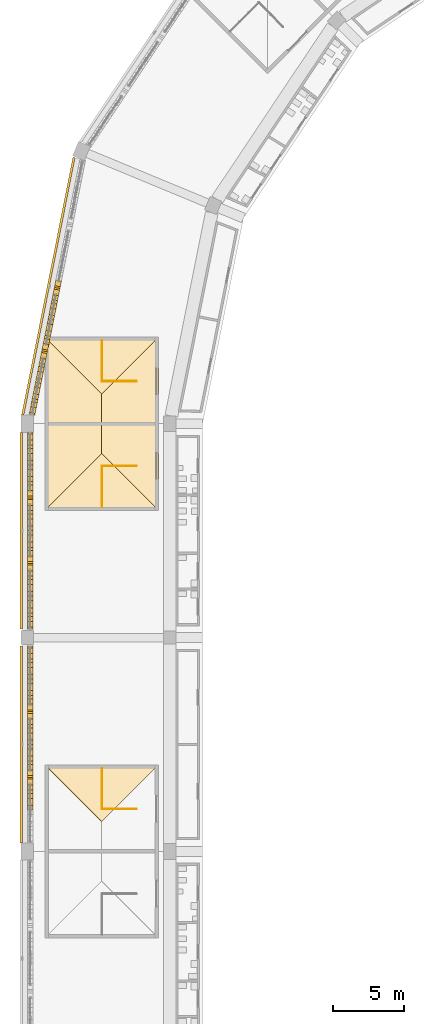
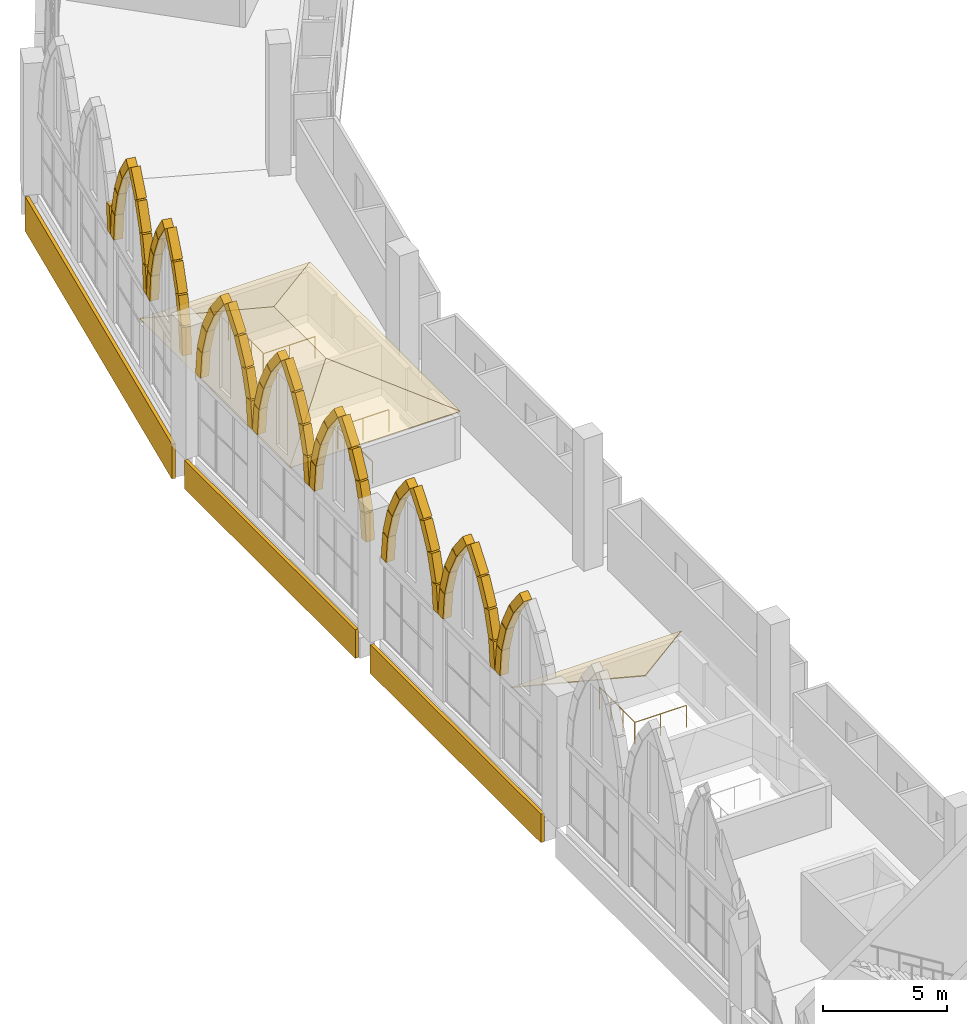
# One storey, part 115 of 130: 69 coverings, 6 railings.
"""IFC4 building model written with IfcOpenShell, lengths in metres."""

from ifc_helpers import new_model, si_unit, direction, frame, origin, origin_2d, place, context, subcontext, project, spatial, polyline, rectangle, circle, outline, extrude, material, layer, layer_set, material_profile, profile_set, type_object, element, save


model = new_model("IFC4")

# Units and contexts
model_context = context("Model", 3, precision=1e-05, world=origin(), true_north=direction((0.0, 1.0)))
body_context = subcontext(model_context, "Body", "Model", "MODEL_VIEW")
ifc_project = project(units=[si_unit("LENGTHUNIT", "METRE"), si_unit("AREAUNIT", "SQUARE_METRE"), si_unit("VOLUMEUNIT", "CUBIC_METRE"), si_unit("PLANEANGLEUNIT", "RADIAN"), si_unit("MASSUNIT", "GRAM", prefix="KILO")], contexts=[model_context])

# Site, building, storey
site_placement = place(None, origin())
site = spatial("IfcSite", under=ifc_project, at=site_placement, CompositionType="ELEMENT")
building_placement = place(site_placement, origin())
building = spatial("IfcBuilding", under=site, at=building_placement, Name="Ogive Plaza Stadium", CompositionType="ELEMENT")
storey_placement = place(building_placement, frame((0.0, 0.0, 22.5)))
storey = spatial("IfcBuildingStorey", under=building, at=storey_placement, Name="L05", CompositionType="ELEMENT", Elevation=22.5)

# Railings
ifc_material_1 = material(Name="Steel ASTM A572 Grade 50", Category="steel")
railing_type = type_object("IfcRailingType", Name="Guard 1100", PredefinedType="GUARDRAIL", material=ifc_material_1)
railing_1_placement = place(storey_placement, frame((-76.35009765625, 25.47509765625, 0.0)))
element("IfcRailing", 1, at=railing_1_placement, inside=storey, type_object=railing_type, Name="Stair well guard ST26A L05", PredefinedType="GUARDRAIL", context=body_context, shape_type="SweptSolid", body=[
    extrude(circle(Radius=0.02392578125, at=origin_2d()), frame((0.0, 0.0, 1.076171875), z_axis=(-1.0, 0.0, 0.0), x_axis=(0.0, -1.0, 0.0)), (0.0, 0.0, 1.0), 2.39990234375),
    extrude(circle(Radius=0.02099609375, at=origin_2d()), origin(), (0.0, 0.0, 1.0), 1.052001953125),
    extrude(circle(Radius=0.02099609375, at=origin_2d()), frame((-1.199951171875, 0.0, 0.0)), (0.0, 0.0, 1.0), 1.052001953125),
    extrude(circle(Radius=0.02099609375, at=origin_2d()), frame((-2.39990234375, 0.0, 0.0)), (0.0, 0.0, 1.0), 1.052001953125),
])
railing_2_placement = place(storey_placement, frame((-78.75, 28.324951171875, 0.0)))
element("IfcRailing", 2, at=railing_2_placement, inside=storey, type_object=railing_type, Name="Stair guard ST26A L05", PredefinedType="GUARDRAIL", context=body_context, shape_type="SweptSolid", body=[
    extrude(circle(Radius=0.02392578125, at=origin_2d()), frame((0.0, 0.0, 1.076171875), z_axis=(0.0, -1.0, 0.0), x_axis=(1.0, 0.0, 0.0)), (0.0, 0.0, 1.0), 2.800048828125),
    extrude(circle(Radius=0.02099609375, at=origin_2d()), origin(), (0.0, 0.0, 1.0), 1.052001953125),
    extrude(circle(Radius=0.02099609375, at=origin_2d()), frame((0.0, -0.933349609375, 0.0)), (0.0, 0.0, 1.0), 1.052001953125),
    extrude(circle(Radius=0.02099609375, at=origin_2d()), frame((0.0, -1.86669921875, 0.0)), (0.0, 0.0, 1.0), 1.052001953125),
    extrude(circle(Radius=0.02099609375, at=origin_2d()), frame((0.0, -2.800048828125, 0.0)), (0.0, 0.0, 1.0), 1.052001953125),
])
railing_3_placement = place(storey_placement, frame((-76.35009765625, 55.47509765625, 0.0)))
element("IfcRailing", 3, at=railing_3_placement, inside=storey, type_object=railing_type, Name="Stair well guard ST28A L05", PredefinedType="GUARDRAIL", context=body_context, shape_type="SweptSolid", body=[
    extrude(circle(Radius=0.02392578125, at=origin_2d()), frame((0.0, 0.0, 1.076171875), z_axis=(-1.0, 0.0, 0.0), x_axis=(0.0, -1.0, 0.0)), (0.0, 0.0, 1.0), 2.39990234375),
    extrude(circle(Radius=0.02099609375, at=origin_2d()), origin(), (0.0, 0.0, 1.0), 1.052001953125),
    extrude(circle(Radius=0.02099609375, at=origin_2d()), frame((-1.199951171875, 0.0, 0.0)), (0.0, 0.0, 1.0), 1.052001953125),
    extrude(circle(Radius=0.02099609375, at=origin_2d()), frame((-2.39990234375, 0.0, 0.0)), (0.0, 0.0, 1.0), 1.052001953125),
])
railing_4_placement = place(storey_placement, frame((-78.75, 58.324951171875, 0.0)))
element("IfcRailing", 4, at=railing_4_placement, inside=storey, type_object=railing_type, Name="Stair guard ST28A L05", PredefinedType="GUARDRAIL", context=body_context, shape_type="SweptSolid", body=[
    extrude(circle(Radius=0.02392578125, at=origin_2d()), frame((0.0, 0.0, 1.076171875), z_axis=(0.0, -1.0, 0.0), x_axis=(1.0, 0.0, 0.0)), (0.0, 0.0, 1.0), 2.800048828125),
    extrude(circle(Radius=0.02099609375, at=origin_2d()), origin(), (0.0, 0.0, 1.0), 1.052001953125),
    extrude(circle(Radius=0.02099609375, at=origin_2d()), frame((0.0, -0.933349609375, 0.0)), (0.0, 0.0, 1.0), 1.052001953125),
    extrude(circle(Radius=0.02099609375, at=origin_2d()), frame((0.0, -1.86669921875, 0.0)), (0.0, 0.0, 1.0), 1.052001953125),
    extrude(circle(Radius=0.02099609375, at=origin_2d()), frame((0.0, -2.800048828125, 0.0)), (0.0, 0.0, 1.0), 1.052001953125),
])
railing_5_placement = place(storey_placement, frame((-76.35009765625, 49.52490234375, 0.0)))
element("IfcRailing", 5, at=railing_5_placement, inside=storey, type_object=railing_type, Name="Stair well guard ST28B L05", PredefinedType="GUARDRAIL", context=body_context, shape_type="SweptSolid", body=[
    extrude(circle(Radius=0.02392578125, at=origin_2d()), frame((0.0, 0.0, 1.076171875), z_axis=(-1.0, 0.0, 0.0), x_axis=(0.0, -1.0, 0.0)), (0.0, 0.0, 1.0), 2.39990234375),
    extrude(circle(Radius=0.02099609375, at=origin_2d()), origin(), (0.0, 0.0, 1.0), 1.052001953125),
    extrude(circle(Radius=0.02099609375, at=origin_2d()), frame((-1.199951171875, 0.0, 0.0)), (0.0, 0.0, 1.0), 1.052001953125),
    extrude(circle(Radius=0.02099609375, at=origin_2d()), frame((-2.39990234375, 0.0, 0.0)), (0.0, 0.0, 1.0), 1.052001953125),
])
railing_6_placement = place(storey_placement, frame((-78.75, 49.47509765625, 0.0)))
element("IfcRailing", 6, at=railing_6_placement, inside=storey, type_object=railing_type, Name="Stair guard ST28B L05", PredefinedType="GUARDRAIL", context=body_context, shape_type="SweptSolid", body=[
    extrude(circle(Radius=0.02392578125, at=origin_2d()), frame((0.0, 0.0, 1.076171875), z_axis=(0.0, -1.0, 0.0), x_axis=(1.0, 0.0, 0.0)), (0.0, 0.0, 1.0), 2.800048828125),
    extrude(circle(Radius=0.02099609375, at=origin_2d()), origin(), (0.0, 0.0, 1.0), 1.052001953125),
    extrude(circle(Radius=0.02099609375, at=origin_2d()), frame((0.0, -0.933349609375, 0.0)), (0.0, 0.0, 1.0), 1.052001953125),
    extrude(circle(Radius=0.02099609375, at=origin_2d()), frame((0.0, -1.86669921875, 0.0)), (0.0, 0.0, 1.0), 1.052001953125),
    extrude(circle(Radius=0.02099609375, at=origin_2d()), frame((0.0, -2.800048828125, 0.0)), (0.0, 0.0, 1.0), 1.052001953125),
])

# Coverings
ifc_material_2 = material(Name="Cast stone (reconstituted limestone)", Category="masonry")
ifc_material_profile = material_profile(ifc_material_2, rectangle(XDim=0.39990234375, YDim=0.39990234375, at=origin_2d()), Name="Cast stone 400x400")
ifc_profile_set = profile_set([ifc_material_profile], Name="Cast stone (reconstituted limestone)")
covering_type_1 = type_object("IfcCoveringType", Name="Precast arch rib 400x400", PredefinedType="MOLDING", material=ifc_profile_set)
covering_1_placement = place(storey_placement, frame((-83.800048828125, 25.55810546875, 9.0224609375), z_axis=(0.0, 0.612799939872, -0.790238086713), x_axis=(-1.0, 0.0, 0.0)))
element("IfcCovering", 7, at=covering_1_placement, inside=storey, type_object=covering_type_1, Name="ARCH RIB B26 1.5", PredefinedType="MOLDING", context=body_context, shape_type="SweptSolid", body=[
    extrude(rectangle(XDim=0.39990234375, YDim=0.39990234375, at=origin_2d()), origin(), (0.0, 0.0, 1.0), 1.319580078125),
])
for number, where, z_axis, x_axis, name in (
    (8, (-83.800048828125, 26.386962890625, 7.947998046875), (0.0, 0.453787214374, -0.891110074048), (-1.0, 0.0, 0.0), "ARCH RIB B26 1.6"),
    (9, (-83.800048828125, 26.999755859375, 6.737060546875), (0.0, 0.2789697965, -0.960299876414), (-1.0, 0.0, 0.0), "ARCH RIB B26 1.7"),
):
    element("IfcCovering", number, at=place(storey_placement, frame(where, z_axis=z_axis, x_axis=x_axis)), inside=storey, type_object=covering_type_1, Name=name, PredefinedType="MOLDING", context=body_context, shape_type="SweptSolid", body=[
        extrude(rectangle(XDim=0.39990234375, YDim=0.39990234375, at=origin_2d()), origin(), (0.0, 0.0, 1.0), 1.31982421875),
    ])
for number, where, z_axis, x_axis, name in (
    (10, (-83.800048828125, 27.375, 5.4326171875), (0.0, 0.093988335931, -0.995573298511), (-1.0, 0.0, 0.0), "ARCH RIB B26 1.8"),
    (11, (-83.800048828125, 27.90087890625, 4.118896484375), (0.0, 0.094171713154, 0.995555969517), (-1.0, 0.0, 0.0), "ARCH RIB B26 2.1"),
    (12, (-83.800048828125, 28.0322265625, 5.4697265625), (0.0, 0.278799187003, 0.960349422516), (-1.0, 0.0, 0.0), "ARCH RIB B26 2.2"),
):
    element("IfcCovering", number, at=place(storey_placement, frame(where, z_axis=z_axis, x_axis=x_axis)), inside=storey, type_object=covering_type_1, Name=name, PredefinedType="MOLDING", context=body_context, shape_type="SweptSolid", body=[
        extrude(rectangle(XDim=0.39990234375, YDim=0.39990234375, at=origin_2d()), origin(), (0.0, 0.0, 1.0), 1.319580078125),
    ])
covering_2_placement = place(storey_placement, frame((-83.800048828125, 28.4140625, 6.77197265625), z_axis=(0.0, 0.453934094395, 0.891035261898), x_axis=(-1.0, 0.0, 0.0)))
element("IfcCovering", 13, at=covering_2_placement, inside=storey, type_object=covering_type_1, Name="ARCH RIB B26 2.3", PredefinedType="MOLDING", context=body_context, shape_type="SweptSolid", body=[
    extrude(rectangle(XDim=0.39990234375, YDim=0.39990234375, at=origin_2d()), origin(), (0.0, 0.0, 1.0), 1.31982421875),
])
for number, where, z_axis, x_axis, name in (
    (14, (-83.800048828125, 29.033203125, 7.979736328125), (0.0, 0.612915463399, 0.790148489036), (-1.0, 0.0, 0.0), "ARCH RIB B26 2.4"),
    (15, (-83.800048828125, 30.157958984375, 9.0224609375), (0.0, 0.612915463399, -0.790148489036), (-1.0, 0.0, 0.0), "ARCH RIB B26 2.5"),
):
    element("IfcCovering", number, at=place(storey_placement, frame(where, z_axis=z_axis, x_axis=x_axis)), inside=storey, type_object=covering_type_1, Name=name, PredefinedType="MOLDING", context=body_context, shape_type="SweptSolid", body=[
        extrude(rectangle(XDim=0.39990234375, YDim=0.39990234375, at=origin_2d()), origin(), (0.0, 0.0, 1.0), 1.319580078125),
    ])
covering_3_placement = place(storey_placement, frame((-83.800048828125, 30.98681640625, 7.947998046875), z_axis=(0.0, 0.453934094395, -0.891035261898), x_axis=(-1.0, 0.0, 0.0)))
element("IfcCovering", 16, at=covering_3_placement, inside=storey, type_object=covering_type_1, Name="ARCH RIB B26 2.6", PredefinedType="MOLDING", context=body_context, shape_type="SweptSolid", body=[
    extrude(rectangle(XDim=0.39990234375, YDim=0.39990234375, at=origin_2d()), origin(), (0.0, 0.0, 1.0), 1.31982421875),
])
for number, where, z_axis, x_axis, name in (
    (17, (-83.800048828125, 31.599853515625, 6.737060546875), (0.0, 0.278799187003, -0.960349422516), (-1.0, 0.0, 0.0), "ARCH RIB B26 2.7"),
    (18, (-83.800048828125, 31.974853515625, 5.4326171875), (0.0, 0.094171713154, -0.995555969517), (-1.0, 0.0, 0.0), "ARCH RIB B26 2.8"),
    (19, (-83.800048828125, 32.5009765625, 4.118896484375), (0.0, 0.093988335931, 0.995573298511), (-1.0, 0.0, 0.0), "ARCH RIB B26 3.1"),
):
    element("IfcCovering", number, at=place(storey_placement, frame(where, z_axis=z_axis, x_axis=x_axis)), inside=storey, type_object=covering_type_1, Name=name, PredefinedType="MOLDING", context=body_context, shape_type="SweptSolid", body=[
        extrude(rectangle(XDim=0.39990234375, YDim=0.39990234375, at=origin_2d()), origin(), (0.0, 0.0, 1.0), 1.319580078125),
    ])
for number, where, z_axis, x_axis, name in (
    (20, (-83.800048828125, 32.632080078125, 5.4697265625), (0.0, 0.2789697965, 0.960299876414), (-1.0, 0.0, 0.0), "ARCH RIB B26 3.2"),
    (21, (-83.800048828125, 33.01416015625, 6.77197265625), (0.0, 0.453787214374, 0.891110074048), (-1.0, 0.0, 0.0), "ARCH RIB B26 3.3"),
):
    element("IfcCovering", number, at=place(storey_placement, frame(where, z_axis=z_axis, x_axis=x_axis)), inside=storey, type_object=covering_type_1, Name=name, PredefinedType="MOLDING", context=body_context, shape_type="SweptSolid", body=[
        extrude(rectangle(XDim=0.39990234375, YDim=0.39990234375, at=origin_2d()), origin(), (0.0, 0.0, 1.0), 1.31982421875),
    ])
for number, where, z_axis, x_axis, name in (
    (22, (-83.800048828125, 33.63330078125, 7.979736328125), (0.0, 0.612799939872, 0.790238086713), (-1.0, 0.0, 0.0), "ARCH RIB B26 3.4"),
    (23, (-83.800048828125, 34.758056640625, 9.0224609375), (0.0, 0.612799939872, -0.790238086713), (-1.0, 0.0, 0.0), "ARCH RIB B26 3.5"),
):
    element("IfcCovering", number, at=place(storey_placement, frame(where, z_axis=z_axis, x_axis=x_axis)), inside=storey, type_object=covering_type_1, Name=name, PredefinedType="MOLDING", context=body_context, shape_type="SweptSolid", body=[
        extrude(rectangle(XDim=0.39990234375, YDim=0.39990234375, at=origin_2d()), origin(), (0.0, 0.0, 1.0), 1.319580078125),
    ])
for number, where, z_axis, x_axis, name in (
    (24, (-83.800048828125, 35.5869140625, 7.947998046875), (0.0, 0.453934094395, -0.891035261898), (-1.0, 0.0, 0.0), "ARCH RIB B26 3.6"),
    (25, (-83.800048828125, 36.19970703125, 6.737060546875), (0.0, 0.2789697965, -0.960299876414), (-1.0, 0.0, 0.0), "ARCH RIB B26 3.7"),
):
    element("IfcCovering", number, at=place(storey_placement, frame(where, z_axis=z_axis, x_axis=x_axis)), inside=storey, type_object=covering_type_1, Name=name, PredefinedType="MOLDING", context=body_context, shape_type="SweptSolid", body=[
        extrude(rectangle(XDim=0.39990234375, YDim=0.39990234375, at=origin_2d()), origin(), (0.0, 0.0, 1.0), 1.31982421875),
    ])
for number, where, z_axis, x_axis, name in (
    (26, (-83.800048828125, 36.574951171875, 5.4326171875), (0.0, 0.094171713154, -0.995555969517), (-1.0, 0.0, 0.0), "ARCH RIB B26 3.8"),
    (27, (-83.800048828125, 38.30078125, 4.118896484375), (0.0, 0.094171713154, 0.995555969517), (-1.0, 0.0, 0.0), "ARCH RIB B27 1.1"),
):
    element("IfcCovering", number, at=place(storey_placement, frame(where, z_axis=z_axis, x_axis=x_axis)), inside=storey, type_object=covering_type_1, Name=name, PredefinedType="MOLDING", context=body_context, shape_type="SweptSolid", body=[
        extrude(rectangle(XDim=0.39990234375, YDim=0.39990234375, at=origin_2d()), origin(), (0.0, 0.0, 1.0), 1.319580078125),
    ])
for number, where, z_axis, x_axis, name in (
    (28, (-83.800048828125, 38.43212890625, 5.4697265625), (0.0, 0.2789697965, 0.960299876414), (-1.0, 0.0, 0.0), "ARCH RIB B27 1.2"),
    (29, (-83.800048828125, 38.81396484375, 6.77197265625), (0.0, 0.453934094395, 0.891035261898), (-1.0, 0.0, 0.0), "ARCH RIB B27 1.3"),
):
    element("IfcCovering", number, at=place(storey_placement, frame(where, z_axis=z_axis, x_axis=x_axis)), inside=storey, type_object=covering_type_1, Name=name, PredefinedType="MOLDING", context=body_context, shape_type="SweptSolid", body=[
        extrude(rectangle(XDim=0.39990234375, YDim=0.39990234375, at=origin_2d()), origin(), (0.0, 0.0, 1.0), 1.31982421875),
    ])
for number, where, z_axis, x_axis, name in (
    (30, (-83.800048828125, 39.433349609375, 7.979736328125), (0.0, 0.612799939872, 0.790238086713), (-1.0, 0.0, 0.0), "ARCH RIB B27 1.4"),
    (31, (-83.800048828125, 40.55810546875, 9.0224609375), (0.0, 0.612799939872, -0.790238086713), (-1.0, 0.0, 0.0), "ARCH RIB B27 1.5"),
):
    element("IfcCovering", number, at=place(storey_placement, frame(where, z_axis=z_axis, x_axis=x_axis)), inside=storey, type_object=covering_type_1, Name=name, PredefinedType="MOLDING", context=body_context, shape_type="SweptSolid", body=[
        extrude(rectangle(XDim=0.39990234375, YDim=0.39990234375, at=origin_2d()), origin(), (0.0, 0.0, 1.0), 1.319580078125),
    ])
for number, where, z_axis, x_axis, name in (
    (32, (-83.800048828125, 41.386962890625, 7.947998046875), (0.0, 0.453787214374, -0.891110074048), (-1.0, 0.0, 0.0), "ARCH RIB B27 1.6"),
    (33, (-83.800048828125, 41.999755859375, 6.737060546875), (0.0, 0.2789697965, -0.960299876414), (-1.0, 0.0, 0.0), "ARCH RIB B27 1.7"),
):
    element("IfcCovering", number, at=place(storey_placement, frame(where, z_axis=z_axis, x_axis=x_axis)), inside=storey, type_object=covering_type_1, Name=name, PredefinedType="MOLDING", context=body_context, shape_type="SweptSolid", body=[
        extrude(rectangle(XDim=0.39990234375, YDim=0.39990234375, at=origin_2d()), origin(), (0.0, 0.0, 1.0), 1.31982421875),
    ])
for number, where, z_axis, x_axis, name in (
    (34, (-83.800048828125, 42.375, 5.4326171875), (0.0, 0.093988335931, -0.995573298511), (-1.0, 0.0, 0.0), "ARCH RIB B27 1.8"),
    (35, (-83.800048828125, 42.90087890625, 4.118896484375), (0.0, 0.094171713154, 0.995555969517), (-1.0, 0.0, 0.0), "ARCH RIB B27 2.1"),
    (36, (-83.800048828125, 43.0322265625, 5.4697265625), (0.0, 0.278799187003, 0.960349422516), (-1.0, 0.0, 0.0), "ARCH RIB B27 2.2"),
):
    element("IfcCovering", number, at=place(storey_placement, frame(where, z_axis=z_axis, x_axis=x_axis)), inside=storey, type_object=covering_type_1, Name=name, PredefinedType="MOLDING", context=body_context, shape_type="SweptSolid", body=[
        extrude(rectangle(XDim=0.39990234375, YDim=0.39990234375, at=origin_2d()), origin(), (0.0, 0.0, 1.0), 1.319580078125),
    ])
covering_4_placement = place(storey_placement, frame((-83.800048828125, 43.4140625, 6.77197265625), z_axis=(0.0, 0.453934094395, 0.891035261898), x_axis=(-1.0, 0.0, 0.0)))
element("IfcCovering", 37, at=covering_4_placement, inside=storey, type_object=covering_type_1, Name="ARCH RIB B27 2.3", PredefinedType="MOLDING", context=body_context, shape_type="SweptSolid", body=[
    extrude(rectangle(XDim=0.39990234375, YDim=0.39990234375, at=origin_2d()), origin(), (0.0, 0.0, 1.0), 1.31982421875),
])
for number, where, z_axis, x_axis, name in (
    (38, (-83.800048828125, 44.033203125, 7.979736328125), (0.0, 0.612915463399, 0.790148489036), (-1.0, 0.0, 0.0), "ARCH RIB B27 2.4"),
    (39, (-83.800048828125, 45.157958984375, 9.0224609375), (0.0, 0.612915463399, -0.790148489036), (-1.0, 0.0, 0.0), "ARCH RIB B27 2.5"),
):
    element("IfcCovering", number, at=place(storey_placement, frame(where, z_axis=z_axis, x_axis=x_axis)), inside=storey, type_object=covering_type_1, Name=name, PredefinedType="MOLDING", context=body_context, shape_type="SweptSolid", body=[
        extrude(rectangle(XDim=0.39990234375, YDim=0.39990234375, at=origin_2d()), origin(), (0.0, 0.0, 1.0), 1.319580078125),
    ])
covering_5_placement = place(storey_placement, frame((-83.800048828125, 45.98681640625, 7.947998046875), z_axis=(0.0, 0.453934094395, -0.891035261898), x_axis=(-1.0, 0.0, 0.0)))
element("IfcCovering", 40, at=covering_5_placement, inside=storey, type_object=covering_type_1, Name="ARCH RIB B27 2.6", PredefinedType="MOLDING", context=body_context, shape_type="SweptSolid", body=[
    extrude(rectangle(XDim=0.39990234375, YDim=0.39990234375, at=origin_2d()), origin(), (0.0, 0.0, 1.0), 1.31982421875),
])
for number, where, z_axis, x_axis, name in (
    (41, (-83.800048828125, 46.599853515625, 6.737060546875), (0.0, 0.278799187003, -0.960349422516), (-1.0, 0.0, 0.0), "ARCH RIB B27 2.7"),
    (42, (-83.800048828125, 46.974853515625, 5.4326171875), (0.0, 0.094171713154, -0.995555969517), (-1.0, 0.0, 0.0), "ARCH RIB B27 2.8"),
    (43, (-83.800048828125, 47.5009765625, 4.118896484375), (0.0, 0.093988335931, 0.995573298511), (-1.0, 0.0, 0.0), "ARCH RIB B27 3.1"),
):
    element("IfcCovering", number, at=place(storey_placement, frame(where, z_axis=z_axis, x_axis=x_axis)), inside=storey, type_object=covering_type_1, Name=name, PredefinedType="MOLDING", context=body_context, shape_type="SweptSolid", body=[
        extrude(rectangle(XDim=0.39990234375, YDim=0.39990234375, at=origin_2d()), origin(), (0.0, 0.0, 1.0), 1.319580078125),
    ])
for number, where, z_axis, x_axis, name in (
    (44, (-83.800048828125, 47.632080078125, 5.4697265625), (0.0, 0.2789697965, 0.960299876414), (-1.0, 0.0, 0.0), "ARCH RIB B27 3.2"),
    (45, (-83.800048828125, 48.01416015625, 6.77197265625), (0.0, 0.453787214374, 0.891110074048), (-1.0, 0.0, 0.0), "ARCH RIB B27 3.3"),
):
    element("IfcCovering", number, at=place(storey_placement, frame(where, z_axis=z_axis, x_axis=x_axis)), inside=storey, type_object=covering_type_1, Name=name, PredefinedType="MOLDING", context=body_context, shape_type="SweptSolid", body=[
        extrude(rectangle(XDim=0.39990234375, YDim=0.39990234375, at=origin_2d()), origin(), (0.0, 0.0, 1.0), 1.31982421875),
    ])
for number, where, z_axis, x_axis, name in (
    (46, (-83.800048828125, 48.63330078125, 7.979736328125), (0.0, 0.612799939872, 0.790238086713), (-1.0, 0.0, 0.0), "ARCH RIB B27 3.4"),
    (47, (-83.800048828125, 49.758056640625, 9.0224609375), (0.0, 0.612799939872, -0.790238086713), (-1.0, 0.0, 0.0), "ARCH RIB B27 3.5"),
):
    element("IfcCovering", number, at=place(storey_placement, frame(where, z_axis=z_axis, x_axis=x_axis)), inside=storey, type_object=covering_type_1, Name=name, PredefinedType="MOLDING", context=body_context, shape_type="SweptSolid", body=[
        extrude(rectangle(XDim=0.39990234375, YDim=0.39990234375, at=origin_2d()), origin(), (0.0, 0.0, 1.0), 1.319580078125),
    ])
for number, where, z_axis, x_axis, name in (
    (48, (-83.800048828125, 50.5869140625, 7.947998046875), (0.0, 0.453934094395, -0.891035261898), (-1.0, 0.0, 0.0), "ARCH RIB B27 3.6"),
    (49, (-83.800048828125, 51.19970703125, 6.737060546875), (0.0, 0.2789697965, -0.960299876414), (-1.0, 0.0, 0.0), "ARCH RIB B27 3.7"),
):
    element("IfcCovering", number, at=place(storey_placement, frame(where, z_axis=z_axis, x_axis=x_axis)), inside=storey, type_object=covering_type_1, Name=name, PredefinedType="MOLDING", context=body_context, shape_type="SweptSolid", body=[
        extrude(rectangle(XDim=0.39990234375, YDim=0.39990234375, at=origin_2d()), origin(), (0.0, 0.0, 1.0), 1.31982421875),
    ])
covering_6_placement = place(storey_placement, frame((-83.800048828125, 51.574951171875, 5.4326171875), z_axis=(0.0, 0.094171713154, -0.995555969517), x_axis=(-1.0, 0.0, 0.0)))
element("IfcCovering", 50, at=covering_6_placement, inside=storey, type_object=covering_type_1, Name="ARCH RIB B27 3.8", PredefinedType="MOLDING", context=body_context, shape_type="SweptSolid", body=[
    extrude(rectangle(XDim=0.39990234375, YDim=0.39990234375, at=origin_2d()), origin(), (0.0, 0.0, 1.0), 1.319580078125),
])
covering_7_placement = place(storey_placement, frame((-83.6298828125, 53.3359375, 4.118408203125), z_axis=(0.018184766268, 0.090738272501, 0.995708732602), x_axis=(-0.980503479891, 0.196501719896, 0.0)))
element("IfcCovering", 51, at=covering_7_placement, inside=storey, type_object=covering_type_1, Name="ARCH RIB B28 1.1", PredefinedType="MOLDING", context=body_context, shape_type="SweptSolid", body=[
    extrude(rectangle(XDim=0.39990234375, YDim=0.39990234375, at=origin_2d()), origin(), (0.0, 0.0, 1.0), 1.315673828125),
])
covering_8_placement = place(storey_placement, frame((-83.604736328125, 53.462158203125, 5.46484375), z_axis=(0.053639341274, 0.269124722653, 0.961610474529), x_axis=(-0.980710527742, 0.19546575346, 0.0)))
element("IfcCovering", 52, at=covering_8_placement, inside=storey, type_object=covering_type_1, Name="ARCH RIB B28 1.2", PredefinedType="MOLDING", context=body_context, shape_type="SweptSolid", body=[
    extrude(rectangle(XDim=0.39990234375, YDim=0.39990234375, at=origin_2d()), origin(), (0.0, 0.0, 1.0), 1.3154296875),
])
covering_9_placement = place(storey_placement, frame((-83.53173828125, 53.829345703125, 6.764404296875), z_axis=(0.087221081948, 0.438517907749, 0.894480031888), x_axis=(-0.980787656855, 0.195078374406, 0.0)))
element("IfcCovering", 53, at=covering_9_placement, inside=storey, type_object=covering_type_1, Name="ARCH RIB B28 1.3", PredefinedType="MOLDING", context=body_context, shape_type="SweptSolid", body=[
    extrude(rectangle(XDim=0.39990234375, YDim=0.39990234375, at=origin_2d()), origin(), (0.0, 0.0, 1.0), 1.315673828125),
])
for number, where, z_axis, x_axis, name in (
    (54, (-83.4130859375, 54.42529296875, 7.97265625), (0.117846036075, 0.592756282244, 0.796713437593), (-0.980804436306, 0.194993994068, 0.0), "ARCH RIB B28 1.4"),
    (55, (-83.19580078125, 55.517578125, 9.020751953125), (0.117858999987, 0.592635884975, -0.796801081803), (-0.980792755139, 0.195052740217, 0.0), "ARCH RIB B28 1.5"),
    (56, (-83.036865234375, 56.31640625, 7.941162109375), (0.087228179253, 0.438367998716, -0.894552817024), (-0.980771851845, 0.1951578198, 0.0), "ARCH RIB B28 1.6"),
    (57, (-82.919677734375, 56.90625, 6.729736328125), (0.053636661243, 0.269296870115, -0.961562428715), (-0.980736343344, 0.195336184167, 0.0), "ARCH RIB B28 1.7"),
):
    element("IfcCovering", number, at=place(storey_placement, frame(where, z_axis=z_axis, x_axis=x_axis)), inside=storey, type_object=covering_type_1, Name=name, PredefinedType="MOLDING", context=body_context, shape_type="SweptSolid", body=[
        extrude(rectangle(XDim=0.39990234375, YDim=0.39990234375, at=origin_2d()), origin(), (0.0, 0.0, 1.0), 1.3154296875),
    ])
for number, where, z_axis, x_axis, name in (
    (58, (-82.847900390625, 57.26708984375, 5.428466796875), (0.018184766268, 0.090738272501, -0.995708732602), (-0.980503479891, 0.196501719896, 0.0), "ARCH RIB B28 1.8"),
    (59, (-82.74560546875, 57.780517578125, 4.118408203125), (0.017999267855, 0.090738577123, 0.99571207534), (-0.980888062615, 0.194572887676, 0.0), "ARCH RIB B28 2.1"),
):
    element("IfcCovering", number, at=place(storey_placement, frame(where, z_axis=z_axis, x_axis=x_axis)), inside=storey, type_object=covering_type_1, Name=name, PredefinedType="MOLDING", context=body_context, shape_type="SweptSolid", body=[
        extrude(rectangle(XDim=0.39990234375, YDim=0.39990234375, at=origin_2d()), origin(), (0.0, 0.0, 1.0), 1.315673828125),
    ])
covering_10_placement = place(storey_placement, frame((-82.720703125, 57.90673828125, 5.46484375), z_axis=(0.053639341274, 0.269124722653, 0.961610474529), x_axis=(-0.980710527742, 0.19546575346, 0.0)))
element("IfcCovering", 60, at=covering_10_placement, inside=storey, type_object=covering_type_1, Name="ARCH RIB B28 2.2", PredefinedType="MOLDING", context=body_context, shape_type="SweptSolid", body=[
    extrude(rectangle(XDim=0.39990234375, YDim=0.39990234375, at=origin_2d()), origin(), (0.0, 0.0, 1.0), 1.3154296875),
])
covering_11_placement = place(storey_placement, frame((-82.6474609375, 58.27392578125, 6.764404296875), z_axis=(0.087036912488, 0.438524998312, 0.894494495075), x_axis=(-0.980866995691, 0.194679060931, 0.0)))
element("IfcCovering", 61, at=covering_11_placement, inside=storey, type_object=covering_type_1, Name="ARCH RIB B28 2.3", PredefinedType="MOLDING", context=body_context, shape_type="SweptSolid", body=[
    extrude(rectangle(XDim=0.39990234375, YDim=0.39990234375, at=origin_2d()), origin(), (0.0, 0.0, 1.0), 1.315673828125),
])
for number, where, z_axis, x_axis, name in (
    (62, (-82.529052734375, 58.869873046875, 7.97265625), (0.117858999987, 0.592635884975, 0.796801081803), (-0.980792755139, 0.195052740217, 0.0), "ARCH RIB B28 2.4"),
    (63, (-82.311767578125, 59.962158203125, 9.020751953125), (0.117858999987, 0.592635884975, -0.796801081803), (-0.980792755139, 0.195052740217, 0.0), "ARCH RIB B28 2.5"),
    (64, (-82.15283203125, 60.760986328125, 7.941162109375), (0.087228179253, 0.438367998716, -0.894552817024), (-0.980771851845, 0.1951578198, 0.0), "ARCH RIB B28 2.6"),
    (65, (-82.03564453125, 61.350830078125, 6.729736328125), (0.053636661243, 0.269296870115, -0.961562428715), (-0.980736343344, 0.195336184167, 0.0), "ARCH RIB B28 2.7"),
):
    element("IfcCovering", number, at=place(storey_placement, frame(where, z_axis=z_axis, x_axis=x_axis)), inside=storey, type_object=covering_type_1, Name=name, PredefinedType="MOLDING", context=body_context, shape_type="SweptSolid", body=[
        extrude(rectangle(XDim=0.39990234375, YDim=0.39990234375, at=origin_2d()), origin(), (0.0, 0.0, 1.0), 1.3154296875),
    ])
for number, where, z_axis, x_axis, name in (
    (66, (-81.9638671875, 61.711669921875, 5.428466796875), (0.018184766268, 0.090738272501, -0.995708732602), (-0.980503479891, 0.196501719896, 0.0), "ARCH RIB B28 2.8"),
    (67, (-81.861572265625, 62.22509765625, 4.118408203125), (0.017999267855, 0.090738577123, 0.99571207534), (-0.980888062615, 0.194572887676, 0.0), "ARCH RIB B28 3.1"),
):
    element("IfcCovering", number, at=place(storey_placement, frame(where, z_axis=z_axis, x_axis=x_axis)), inside=storey, type_object=covering_type_1, Name=name, PredefinedType="MOLDING", context=body_context, shape_type="SweptSolid", body=[
        extrude(rectangle(XDim=0.39990234375, YDim=0.39990234375, at=origin_2d()), origin(), (0.0, 0.0, 1.0), 1.315673828125),
    ])
ifc_material_3 = material(Name="Cast stone (reconstituted limestone)", Category="masonry")
ifc_layer_1 = layer(ifc_material_3, 0.159912109375)
ifc_layer_set_1 = layer_set([ifc_layer_1], Name="Precast spandrel cladding 160")
covering_type_2 = type_object("IfcCoveringType", Name="Precast spandrel cladding 160", PredefinedType="CLADDING", material=ifc_layer_set_1)
covering_12_placement = place(storey_placement, frame((0.0, 0.0, -1.409912109375)))
element("IfcCovering", 68, at=covering_12_placement, inside=storey, type_object=covering_type_2, Name="SPANDREL CLADDING B26 L05", PredefinedType="CLADDING", context=body_context, shape_type="SweptSolid", body=[
    extrude(outline(polyline([(-84.35009765625, 23.10009765625), (-84.35009765625, 36.89990234375), (-84.510009765625, 36.89990234375), (-84.510009765625, 23.10009765625), (-84.35009765625, 23.10009765625)])), origin(), (0.0, 0.0, 1.0), 1.409912109375),
])
covering_13_placement = place(storey_placement, frame((0.0, 0.0, -1.409912109375)))
element("IfcCovering", 69, at=covering_13_placement, inside=storey, type_object=covering_type_2, Name="SPANDREL CLADDING B27 L05", PredefinedType="CLADDING", context=body_context, shape_type="SweptSolid", body=[
    extrude(outline(polyline([(-84.35009765625, 38.10009765625), (-84.35009765625, 51.89990234375), (-84.510009765625, 51.89990234375), (-84.510009765625, 38.10009765625), (-84.35009765625, 38.10009765625)])), origin(), (0.0, 0.0, 1.0), 1.409912109375),
])
covering_14_placement = place(storey_placement, frame((0.0, 0.0, -1.7099609375)))
element("IfcCovering", 70, at=covering_14_placement, inside=storey, type_object=covering_type_2, Name="SPANDREL CLADDING B28 L05", PredefinedType="CLADDING", context=body_context, shape_type="SweptSolid", body=[
    extrude(outline(polyline([(-84.237548828125, 53.10009765625), (-80.64306640625, 71.170654296875), (-80.800048828125, 71.201904296875), (-84.39453125, 53.131103515625), (-84.237548828125, 53.10009765625)])), origin(), (0.0, 0.0, 1.0), 1.7099609375),
])
ifc_material_4 = material(Name="Zinc standing seam", Category="metal")
ifc_layer_2 = layer(ifc_material_4, 0.0400390625)
ifc_layer_set_2 = layer_set([ifc_layer_2], Name="Turret roof zinc standing seam 40")
covering_type_3 = type_object("IfcCoveringType", Name="Turret roof zinc standing seam 40", PredefinedType="ROOFING", material=ifc_layer_set_2)
covering_15_placement = place(storey_placement, frame((-74.800048828125, 28.574951171875, 2.337158203125), z_axis=(0.0, 0.372970046205, 0.927843383677), x_axis=(-1.0, 0.0, 0.0)))
element("IfcCovering", 71, at=covering_15_placement, inside=storey, type_object=covering_type_3, Name="Stair core roof facet R26 4", PredefinedType="ROOFING", context=body_context, shape_type="SweptSolid", body=[
    extrude(outline(polyline([(0.0, 0.0), (7.9599609375, 0.0), (3.97998046875, 4.289495984738666), (0.0, 0.0)])), origin(), (0.0, 0.0, -1.0), 0.0400390625),
])
covering_16_placement = place(storey_placement, frame((-82.760009765625, 58.574951171875, 2.337158203125), z_axis=(-0.372970046205, 0.0, 0.927843383677), x_axis=(0.0, -1.0, 0.0)))
element("IfcCovering", 72, at=covering_16_placement, inside=storey, type_object=covering_type_3, Name="Stair core roof facet R28 1", PredefinedType="ROOFING", context=body_context, shape_type="SweptSolid", body=[
    extrude(outline(polyline([(0.0, 0.0), (12.14990234375, 0.0), (8.169921875, 4.289495984738666), (3.97998046875, 4.289495984738666), (0.0, 0.0)])), origin(), (0.0, 0.0, -1.0), 0.0400390625),
])
covering_17_placement = place(storey_placement, frame((-82.760009765625, 46.425048828125, 2.337158203125), z_axis=(0.0, -0.372970046205, 0.927843383677), x_axis=(1.0, 0.0, 0.0)))
element("IfcCovering", 73, at=covering_17_placement, inside=storey, type_object=covering_type_3, Name="Stair core roof facet R28 2", PredefinedType="ROOFING", context=body_context, shape_type="SweptSolid", body=[
    extrude(outline(polyline([(0.0, 0.0), (7.9599609375, 0.0), (3.97998046875, 4.289495984738666), (0.0, 0.0)])), origin(), (0.0, 0.0, -1.0), 0.0400390625),
])
covering_18_placement = place(storey_placement, frame((-74.800048828125, 46.425048828125, 2.337158203125), z_axis=(0.372970046205, 0.0, 0.927843383677), x_axis=(0.0, 1.0, 0.0)))
element("IfcCovering", 74, at=covering_18_placement, inside=storey, type_object=covering_type_3, Name="Stair core roof facet R28 3", PredefinedType="ROOFING", context=body_context, shape_type="SweptSolid", body=[
    extrude(outline(polyline([(0.0, 0.0), (12.14990234375, 0.0), (8.169921875, 4.289495984738666), (3.97998046875, 4.289495984738666), (0.0, 0.0)])), origin(), (0.0, 0.0, -1.0), 0.0400390625),
])
covering_19_placement = place(storey_placement, frame((-74.800048828125, 58.574951171875, 2.337158203125), z_axis=(0.0, 0.372970046205, 0.927843383677), x_axis=(-1.0, 0.0, 0.0)))
element("IfcCovering", 75, at=covering_19_placement, inside=storey, type_object=covering_type_3, Name="Stair core roof facet R28 4", PredefinedType="ROOFING", context=body_context, shape_type="SweptSolid", body=[
    extrude(outline(polyline([(0.0, 0.0), (7.9599609375, 0.0), (3.97998046875, 4.289495984738666), (0.0, 0.0)])), origin(), (0.0, 0.0, -1.0), 0.0400390625),
])

save(model, "model.ifc")
